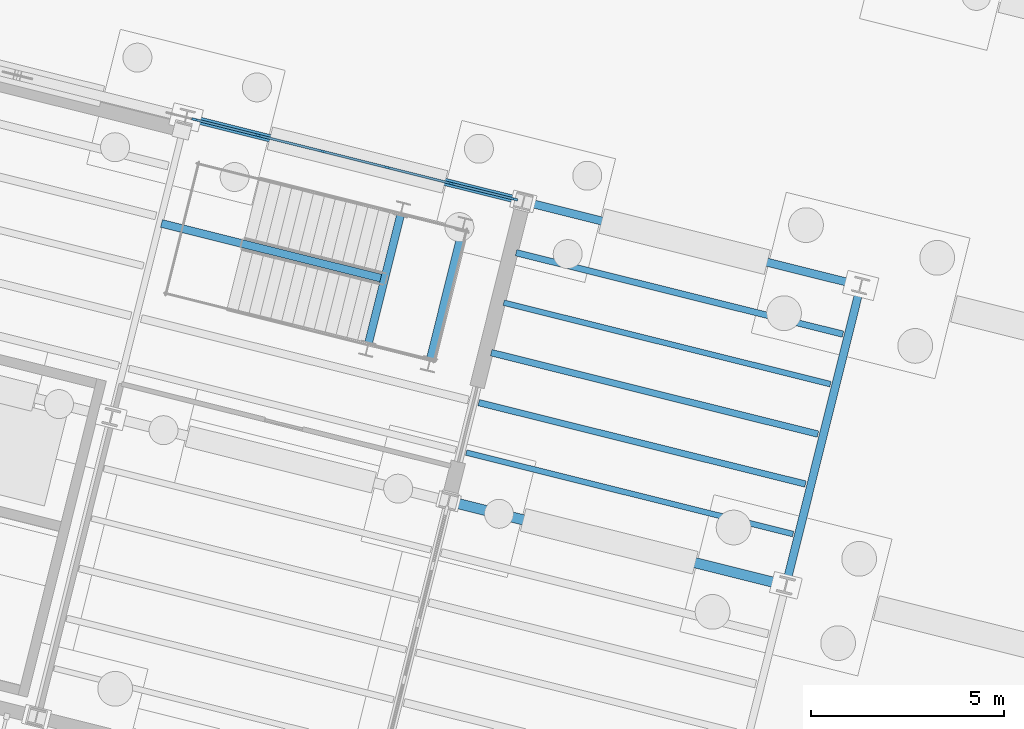
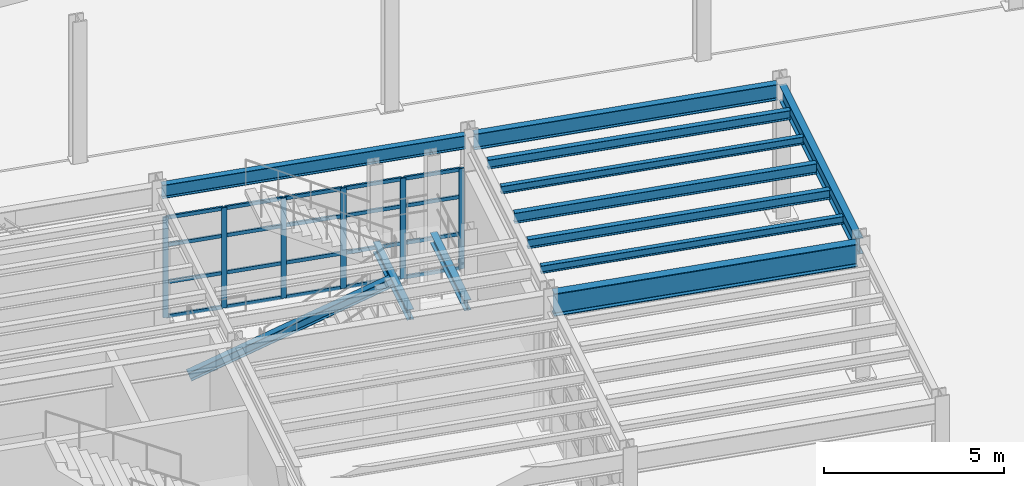
# One storey, part 41 of 108: 27 members, 11 beams, 1 element without a shape of its own.
"""IFC4 building model written with IfcOpenShell, lengths in metres."""

from ifc_helpers import new_model, si_unit, direction, frame, origin, origin_2d, place, context, subcontext, project, spatial, rectangle, i_section, extrude, material, layer, layer_set, material_profile, profile_set, type_object, element, aggregate, save


model = new_model("IFC4")

# Units and contexts
model_context = context("Model", 3, precision=1e-05, world=origin(), true_north=direction((0.0, 1.0)))
body_context = subcontext(model_context, "Body", "Model", "MODEL_VIEW")
ifc_project = project(units=[si_unit("LENGTHUNIT", "METRE"), si_unit("AREAUNIT", "SQUARE_METRE"), si_unit("VOLUMEUNIT", "CUBIC_METRE"), si_unit("PLANEANGLEUNIT", "RADIAN"), si_unit("MASSUNIT", "GRAM", prefix="KILO")], contexts=[model_context])

# Site, building, storey
site_placement = place(None, origin())
site = spatial("IfcSite", under=ifc_project, at=site_placement, CompositionType="ELEMENT")
building_placement = place(site_placement, origin())
building = spatial("IfcBuilding", under=site, at=building_placement, Name="Vireo Bluff Cable Station", CompositionType="ELEMENT")
storey_placement = place(building_placement, origin())
storey = spatial("IfcBuildingStorey", under=building, at=storey_placement, Name="L00", CompositionType="ELEMENT", Elevation=0.0)

# Beams
ifc_material_1 = material(Name="Steel ASTM A992 Gr. 50", Category="steel")
ifc_material_profile_1 = material_profile(ifc_material_1, i_section(OverallWidth=0.2041015625, OverallDepth=0.35009765625, WebThickness=0.008544921875, FlangeThickness=0.01513671875, FilletRadius=0.010009765625, at=origin_2d()), Name="W14X48")
ifc_profile_set_1 = profile_set([ifc_material_profile_1], Name="Steel ASTM A992 Gr. 50")
beam_type_1 = type_object("IfcBeamType", Name="BM-W14X48", PredefinedType="BEAM", material=ifc_profile_set_1)
for number, where, z_axis, x_axis, name in (
    (1, (71.326904296875, 45.49072265625, 2.02490234375), (0.24193442655, 0.970292601873, 0.0), (-0.970292601873, 0.24193442655, 0.0), "ST-10 L00 landing header beam N"),
    (2, (72.927734375, 45.091552734375, 2.02490234375), (0.24193442655, 0.970292601873, 0.0), (-0.970292601873, 0.24193442655, 0.0), "ST-10 L00 landing header beam F"),
):
    element("IfcBeam", number, at=place(storey_placement, frame(where, z_axis=z_axis, x_axis=x_axis)), inside=storey, type_object=beam_type_1, Name=name, PredefinedType="BEAM", context=body_context, shape_type="SweptSolid", body=[
        extrude(i_section(OverallWidth=0.2041015625, OverallDepth=0.35009765625, WebThickness=0.008544921875, FlangeThickness=0.01513671875, FilletRadius=0.010009765625, at=origin_2d()), origin(), (0.0, 0.0, 1.0), 3.440185546875),
    ])

# Curtain wall, members
ifc_material_2 = material(Name="Anodized Aluminium 6063-T6", Category="aluminium")
ifc_layer = layer(ifc_material_2, 0.179931640625, Name="Anodized Aluminium 6063-T6")
ifc_layer_set = layer_set([ifc_layer], Name="Anodized Aluminium 6063-T6")
curtain_wall_type = type_object("IfcCurtainWallType", Name="CW-UNIT-1650", PredefinedType="USERDEFINED", material=ifc_layer_set)
curtain_wall_placement = place(storey_placement, origin())
curtain_wall = element("IfcCurtainWall", 3, at=curtain_wall_placement, inside=storey, type_object=curtain_wall_type, Name="V1 L00 north curtain wall CW-002", ObjectType="UNITISED CURTAIN WALL", PredefinedType="USERDEFINED")
ifc_material_profile_2 = material_profile(ifc_material_2, rectangle(XDim=0.06005859375, YDim=0.159912109375, at=origin_2d()), Name="ALU-M-60X160")
ifc_profile_set_2 = profile_set([ifc_material_profile_2], Name="Anodized Aluminium 6063-T6")
member_type_1 = type_object("IfcMemberType", Name="CWM-03", PredefinedType="MULLION", material=ifc_profile_set_2)
member_1_placement = place(storey_placement, frame((66.8291015625, 51.291259765625, 0.0), z_axis=(0.0, 0.0, 1.0), x_axis=(0.241921813364, 0.97029574678, 0.0)))
member_1 = element("IfcMember", 4, at=member_1_placement, type_object=member_type_1, Name="CW-002 mullion 1", PredefinedType="MULLION", context=body_context, shape_type="SweptSolid", body=[
    extrude(rectangle(XDim=0.06005859375, YDim=0.159912109375, at=origin_2d()), origin(), (0.0, 0.0, 1.0), 3.39990234375),
])
member_2_placement = place(storey_placement, frame((68.4677734375, 50.882568359375, 0.0), z_axis=(0.0, 0.0, 1.0), x_axis=(0.241921813364, 0.97029574678, 0.0)))
member_2 = element("IfcMember", 5, at=member_2_placement, type_object=member_type_1, Name="CW-002 mullion 2", PredefinedType="MULLION", context=body_context, shape_type="SweptSolid", body=[
    extrude(rectangle(XDim=0.06005859375, YDim=0.159912109375, at=origin_2d()), origin(), (0.0, 0.0, 1.0), 3.39990234375),
])
member_3_placement = place(storey_placement, frame((70.1357421875, 50.466796875, 0.0), z_axis=(0.0, 0.0, 1.0), x_axis=(0.241921813364, 0.97029574678, 0.0)))
member_3 = element("IfcMember", 6, at=member_3_placement, type_object=member_type_1, Name="CW-002 mullion 3", PredefinedType="MULLION", context=body_context, shape_type="SweptSolid", body=[
    extrude(rectangle(XDim=0.06005859375, YDim=0.159912109375, at=origin_2d()), origin(), (0.0, 0.0, 1.0), 3.39990234375),
])
member_4_placement = place(storey_placement, frame((71.8037109375, 50.05078125, 0.0), z_axis=(0.0, 0.0, 1.0), x_axis=(0.241921813364, 0.97029574678, 0.0)))
member_4 = element("IfcMember", 7, at=member_4_placement, type_object=member_type_1, Name="CW-002 mullion 4", PredefinedType="MULLION", context=body_context, shape_type="SweptSolid", body=[
    extrude(rectangle(XDim=0.06005859375, YDim=0.159912109375, at=origin_2d()), origin(), (0.0, 0.0, 1.0), 3.39990234375),
])
member_5_placement = place(storey_placement, frame((73.4716796875, 49.635009765625, 0.0), z_axis=(0.0, 0.0, 1.0), x_axis=(0.241921813364, 0.97029574678, 0.0)))
member_5 = element("IfcMember", 8, at=member_5_placement, type_object=member_type_1, Name="CW-002 mullion 5", PredefinedType="MULLION", context=body_context, shape_type="SweptSolid", body=[
    extrude(rectangle(XDim=0.06005859375, YDim=0.159912109375, at=origin_2d()), origin(), (0.0, 0.0, 1.0), 3.39990234375),
])
member_6_placement = place(storey_placement, frame((75.110595703125, 49.226318359375, 0.0), z_axis=(0.0, 0.0, 1.0), x_axis=(0.241921813364, 0.97029574678, 0.0)))
member_6 = element("IfcMember", 9, at=member_6_placement, type_object=member_type_1, Name="CW-002 mullion 6", PredefinedType="MULLION", context=body_context, shape_type="SweptSolid", body=[
    extrude(rectangle(XDim=0.06005859375, YDim=0.159912109375, at=origin_2d()), origin(), (0.0, 0.0, 1.0), 3.39990234375),
])
ifc_material_profile_3 = material_profile(ifc_material_2, rectangle(XDim=0.06005859375, YDim=0.1201171875, at=origin_2d()), Name="ALU-T-60X120")
ifc_profile_set_3 = profile_set([ifc_material_profile_3], Name="Anodized Aluminium 6063-T6")
member_type_2 = type_object("IfcMemberType", Name="CWT-03", PredefinedType="USERDEFINED", material=ifc_profile_set_3)
member_7_placement = place(storey_placement, frame((66.858154296875, 51.283935546875, 0.030029296875), z_axis=(0.970300985328, -0.241900801718, 0.0), x_axis=(0.241900801718, 0.970300985328, 0.0)))
member_7 = element("IfcMember", 10, at=member_7_placement, type_object=member_type_2, Name="CW-002 transom 1.1", ObjectType="TRANSOM", PredefinedType="USERDEFINED", context=body_context, shape_type="SweptSolid", body=[
    extrude(rectangle(XDim=0.06005859375, YDim=0.1201171875, at=origin_2d()), origin(), (0.0, 0.0, 1.0), 1.62890625),
])
member_8_placement = place(storey_placement, frame((66.858154296875, 51.283935546875, 1.18994140625), z_axis=(0.970300985328, -0.241900801718, 0.0), x_axis=(0.241900801718, 0.970300985328, 0.0)))
member_8 = element("IfcMember", 11, at=member_8_placement, type_object=member_type_2, Name="CW-002 transom 1.2", ObjectType="TRANSOM", PredefinedType="USERDEFINED", context=body_context, shape_type="SweptSolid", body=[
    extrude(rectangle(XDim=0.06005859375, YDim=0.1201171875, at=origin_2d()), origin(), (0.0, 0.0, 1.0), 1.62890625),
])
member_9_placement = place(storey_placement, frame((66.858154296875, 51.283935546875, 2.447998046875), z_axis=(0.970300985328, -0.241900801718, 0.0), x_axis=(0.241900801718, 0.970300985328, 0.0)))
member_9 = element("IfcMember", 12, at=member_9_placement, type_object=member_type_2, Name="CW-002 transom 1.3", ObjectType="TRANSOM", PredefinedType="USERDEFINED", context=body_context, shape_type="SweptSolid", body=[
    extrude(rectangle(XDim=0.06005859375, YDim=0.1201171875, at=origin_2d()), origin(), (0.0, 0.0, 1.0), 1.62890625),
])
member_10_placement = place(storey_placement, frame((66.858154296875, 51.283935546875, 3.3701171875), z_axis=(0.970300985328, -0.241900801718, 0.0), x_axis=(0.241900801718, 0.970300985328, 0.0)))
member_10 = element("IfcMember", 13, at=member_10_placement, type_object=member_type_2, Name="CW-002 transom 1.4", ObjectType="TRANSOM", PredefinedType="USERDEFINED", context=body_context, shape_type="SweptSolid", body=[
    extrude(rectangle(XDim=0.06005859375, YDim=0.1201171875, at=origin_2d()), origin(), (0.0, 0.0, 1.0), 1.62890625),
])
member_11_placement = place(storey_placement, frame((68.496826171875, 50.875244140625, 0.030029296875), z_axis=(0.970298104406, -0.241912357241, 0.0), x_axis=(0.241912357241, 0.970298104406, 0.0)))
member_11 = element("IfcMember", 14, at=member_11_placement, type_object=member_type_2, Name="CW-002 transom 2.1", ObjectType="TRANSOM", PredefinedType="USERDEFINED", context=body_context, shape_type="SweptSolid", body=[
    extrude(rectangle(XDim=0.06005859375, YDim=0.1201171875, at=origin_2d()), origin(), (0.0, 0.0, 1.0), 1.6591796875),
])
member_12_placement = place(storey_placement, frame((68.496826171875, 50.875244140625, 1.18994140625), z_axis=(0.970298104406, -0.241912357241, 0.0), x_axis=(0.241912357241, 0.970298104406, 0.0)))
member_12 = element("IfcMember", 15, at=member_12_placement, type_object=member_type_2, Name="CW-002 transom 2.2", ObjectType="TRANSOM", PredefinedType="USERDEFINED", context=body_context, shape_type="SweptSolid", body=[
    extrude(rectangle(XDim=0.06005859375, YDim=0.1201171875, at=origin_2d()), origin(), (0.0, 0.0, 1.0), 1.6591796875),
])
member_13_placement = place(storey_placement, frame((68.496826171875, 50.875244140625, 2.447998046875), z_axis=(0.970298104406, -0.241912357241, 0.0), x_axis=(0.241912357241, 0.970298104406, 0.0)))
member_13 = element("IfcMember", 16, at=member_13_placement, type_object=member_type_2, Name="CW-002 transom 2.3", ObjectType="TRANSOM", PredefinedType="USERDEFINED", context=body_context, shape_type="SweptSolid", body=[
    extrude(rectangle(XDim=0.06005859375, YDim=0.1201171875, at=origin_2d()), origin(), (0.0, 0.0, 1.0), 1.6591796875),
])
member_14_placement = place(storey_placement, frame((68.496826171875, 50.875244140625, 3.3701171875), z_axis=(0.970298104406, -0.241912357241, 0.0), x_axis=(0.241912357241, 0.970298104406, 0.0)))
member_14 = element("IfcMember", 17, at=member_14_placement, type_object=member_type_2, Name="CW-002 transom 2.4", ObjectType="TRANSOM", PredefinedType="USERDEFINED", context=body_context, shape_type="SweptSolid", body=[
    extrude(rectangle(XDim=0.06005859375, YDim=0.1201171875, at=origin_2d()), origin(), (0.0, 0.0, 1.0), 1.6591796875),
])
member_15_placement = place(storey_placement, frame((70.164794921875, 50.45947265625, 0.030029296875), z_axis=(0.970298104406, -0.241912357241, 0.0), x_axis=(0.241912357241, 0.970298104406, 0.0)))
member_15 = element("IfcMember", 18, at=member_15_placement, type_object=member_type_2, Name="CW-002 transom 3.1", ObjectType="TRANSOM", PredefinedType="USERDEFINED", context=body_context, shape_type="SweptSolid", body=[
    extrude(rectangle(XDim=0.06005859375, YDim=0.1201171875, at=origin_2d()), origin(), (0.0, 0.0, 1.0), 1.6591796875),
])
member_16_placement = place(storey_placement, frame((70.164794921875, 50.45947265625, 1.18994140625), z_axis=(0.970298104406, -0.241912357241, 0.0), x_axis=(0.241912357241, 0.970298104406, 0.0)))
member_16 = element("IfcMember", 19, at=member_16_placement, type_object=member_type_2, Name="CW-002 transom 3.2", ObjectType="TRANSOM", PredefinedType="USERDEFINED", context=body_context, shape_type="SweptSolid", body=[
    extrude(rectangle(XDim=0.06005859375, YDim=0.1201171875, at=origin_2d()), origin(), (0.0, 0.0, 1.0), 1.6591796875),
])
member_17_placement = place(storey_placement, frame((70.164794921875, 50.45947265625, 2.447998046875), z_axis=(0.970298104406, -0.241912357241, 0.0), x_axis=(0.241912357241, 0.970298104406, 0.0)))
member_17 = element("IfcMember", 20, at=member_17_placement, type_object=member_type_2, Name="CW-002 transom 3.3", ObjectType="TRANSOM", PredefinedType="USERDEFINED", context=body_context, shape_type="SweptSolid", body=[
    extrude(rectangle(XDim=0.06005859375, YDim=0.1201171875, at=origin_2d()), origin(), (0.0, 0.0, 1.0), 1.6591796875),
])
member_18_placement = place(storey_placement, frame((70.164794921875, 50.45947265625, 3.3701171875), z_axis=(0.970298104406, -0.241912357241, 0.0), x_axis=(0.241912357241, 0.970298104406, 0.0)))
member_18 = element("IfcMember", 21, at=member_18_placement, type_object=member_type_2, Name="CW-002 transom 3.4", ObjectType="TRANSOM", PredefinedType="USERDEFINED", context=body_context, shape_type="SweptSolid", body=[
    extrude(rectangle(XDim=0.06005859375, YDim=0.1201171875, at=origin_2d()), origin(), (0.0, 0.0, 1.0), 1.6591796875),
])
member_19_placement = place(storey_placement, frame((71.832763671875, 50.043701171875, 0.030029296875), z_axis=(0.970298104406, -0.241912357241, 0.0), x_axis=(0.241912357241, 0.970298104406, 0.0)))
member_19 = element("IfcMember", 22, at=member_19_placement, type_object=member_type_2, Name="CW-002 transom 4.1", ObjectType="TRANSOM", PredefinedType="USERDEFINED", context=body_context, shape_type="SweptSolid", body=[
    extrude(rectangle(XDim=0.06005859375, YDim=0.1201171875, at=origin_2d()), origin(), (0.0, 0.0, 1.0), 1.6591796875),
])
member_20_placement = place(storey_placement, frame((71.832763671875, 50.043701171875, 1.18994140625), z_axis=(0.970298104406, -0.241912357241, 0.0), x_axis=(0.241912357241, 0.970298104406, 0.0)))
member_20 = element("IfcMember", 23, at=member_20_placement, type_object=member_type_2, Name="CW-002 transom 4.2", ObjectType="TRANSOM", PredefinedType="USERDEFINED", context=body_context, shape_type="SweptSolid", body=[
    extrude(rectangle(XDim=0.06005859375, YDim=0.1201171875, at=origin_2d()), origin(), (0.0, 0.0, 1.0), 1.6591796875),
])
member_21_placement = place(storey_placement, frame((71.832763671875, 50.043701171875, 2.447998046875), z_axis=(0.970298104406, -0.241912357241, 0.0), x_axis=(0.241912357241, 0.970298104406, 0.0)))
member_21 = element("IfcMember", 24, at=member_21_placement, type_object=member_type_2, Name="CW-002 transom 4.3", ObjectType="TRANSOM", PredefinedType="USERDEFINED", context=body_context, shape_type="SweptSolid", body=[
    extrude(rectangle(XDim=0.06005859375, YDim=0.1201171875, at=origin_2d()), origin(), (0.0, 0.0, 1.0), 1.6591796875),
])
member_22_placement = place(storey_placement, frame((71.832763671875, 50.043701171875, 3.3701171875), z_axis=(0.970298104406, -0.241912357241, 0.0), x_axis=(0.241912357241, 0.970298104406, 0.0)))
member_22 = element("IfcMember", 25, at=member_22_placement, type_object=member_type_2, Name="CW-002 transom 4.4", ObjectType="TRANSOM", PredefinedType="USERDEFINED", context=body_context, shape_type="SweptSolid", body=[
    extrude(rectangle(XDim=0.06005859375, YDim=0.1201171875, at=origin_2d()), origin(), (0.0, 0.0, 1.0), 1.6591796875),
])
member_23_placement = place(storey_placement, frame((73.500732421875, 49.627685546875, 0.030029296875), z_axis=(0.970300985328, -0.241900801718, 0.0), x_axis=(0.241900801718, 0.970300985328, 0.0)))
member_23 = element("IfcMember", 26, at=member_23_placement, type_object=member_type_2, Name="CW-002 transom 5.1", ObjectType="TRANSOM", PredefinedType="USERDEFINED", context=body_context, shape_type="SweptSolid", body=[
    extrude(rectangle(XDim=0.06005859375, YDim=0.1201171875, at=origin_2d()), origin(), (0.0, 0.0, 1.0), 1.62890625),
])
member_24_placement = place(storey_placement, frame((73.500732421875, 49.627685546875, 1.18994140625), z_axis=(0.970300985328, -0.241900801718, 0.0), x_axis=(0.241900801718, 0.970300985328, 0.0)))
member_24 = element("IfcMember", 27, at=member_24_placement, type_object=member_type_2, Name="CW-002 transom 5.2", ObjectType="TRANSOM", PredefinedType="USERDEFINED", context=body_context, shape_type="SweptSolid", body=[
    extrude(rectangle(XDim=0.06005859375, YDim=0.1201171875, at=origin_2d()), origin(), (0.0, 0.0, 1.0), 1.62890625),
])
member_25_placement = place(storey_placement, frame((73.500732421875, 49.627685546875, 2.447998046875), z_axis=(0.970300985328, -0.241900801718, 0.0), x_axis=(0.241900801718, 0.970300985328, 0.0)))
member_25 = element("IfcMember", 28, at=member_25_placement, type_object=member_type_2, Name="CW-002 transom 5.3", ObjectType="TRANSOM", PredefinedType="USERDEFINED", context=body_context, shape_type="SweptSolid", body=[
    extrude(rectangle(XDim=0.06005859375, YDim=0.1201171875, at=origin_2d()), origin(), (0.0, 0.0, 1.0), 1.62890625),
])
member_26_placement = place(storey_placement, frame((73.500732421875, 49.627685546875, 3.3701171875), z_axis=(0.970300985328, -0.241900801718, 0.0), x_axis=(0.241900801718, 0.970300985328, 0.0)))
member_26 = element("IfcMember", 29, at=member_26_placement, type_object=member_type_2, Name="CW-002 transom 5.4", ObjectType="TRANSOM", PredefinedType="USERDEFINED", context=body_context, shape_type="SweptSolid", body=[
    extrude(rectangle(XDim=0.06005859375, YDim=0.1201171875, at=origin_2d()), origin(), (0.0, 0.0, 1.0), 1.62890625),
])
aggregate(curtain_wall, [member_1, member_2, member_3, member_4, member_5, member_6, member_7, member_8, member_9, member_10, member_11, member_12, member_13, member_14, member_15, member_16, member_17, member_18, member_19, member_20, member_21, member_22, member_23, member_24, member_25, member_26])

# Beams
ifc_material_profile_4 = material_profile(ifc_material_1, i_section(OverallWidth=0.26708984375, OverallDepth=0.77001953125, WebThickness=0.015625, FlangeThickness=0.025390625, FilletRadius=0.01611328125, at=origin_2d()), Name="W30X132")
ifc_profile_set_4 = profile_set([ifc_material_profile_4], Name="Steel ASTM A992 Gr. 50")
beam_type_2 = type_object("IfcBeamType", Name="GIR-W30X132", PredefinedType="USERDEFINED", material=ifc_profile_set_4)
beam_1_placement = place(storey_placement, frame((73.51708984375, 41.378662109375, 4.155029296875), z_axis=(0.970298044881, -0.241912595995, 0.0), x_axis=(0.241912595995, 0.970298044881, 0.0)))
element("IfcBeam", 30, at=beam_1_placement, inside=storey, type_object=beam_type_2, Name="V1 L00 girder 6", ObjectType="GIRDER", PredefinedType="USERDEFINED", context=body_context, shape_type="SweptSolid", body=[
    extrude(i_section(OverallWidth=0.26708984375, OverallDepth=0.77001953125, WebThickness=0.015625, FlangeThickness=0.025390625, FilletRadius=0.01611328125, at=origin_2d()), origin(), (0.0, 0.0, 1.0), 8.760009765625),
])
ifc_material_profile_5 = material_profile(ifc_material_1, i_section(OverallWidth=0.14599609375, OverallDepth=0.259033203125, WebThickness=0.006103515625, FlangeThickness=0.009033203125, FilletRadius=0.009033203125, at=origin_2d()), Name="W10X22")
ifc_profile_set_5 = profile_set([ifc_material_profile_5], Name="Steel ASTM A992 Gr. 50")
beam_type_3 = type_object("IfcBeamType", Name="JST-W10X22", PredefinedType="JOIST", material=ifc_profile_set_5)
for number, where, z_axis, x_axis, name in (
    (31, (73.859130859375, 42.667724609375, 4.410400390625), (0.970293828661, -0.24192950639, 0.0), (0.24192950639, 0.970293828661, 0.0), "V1 L00 composite joist 35"),
    (32, (74.826904296875, 46.548828125, 4.410400390625), (0.970293828661, -0.24192950639, 0.0), (0.24192950639, 0.970293828661, 0.0), "V1 L00 composite joist 38"),
):
    element("IfcBeam", number, at=place(storey_placement, frame(where, z_axis=z_axis, x_axis=x_axis)), inside=storey, type_object=beam_type_3, Name=name, PredefinedType="JOIST", context=body_context, shape_type="SweptSolid", body=[
        extrude(i_section(OverallWidth=0.14599609375, OverallDepth=0.259033203125, WebThickness=0.006103515625, FlangeThickness=0.009033203125, FilletRadius=0.009033203125, at=origin_2d()), origin(), (0.0, 0.0, 1.0), 8.719970703125),
    ])
ifc_material_profile_6 = material_profile(ifc_material_1, i_section(OverallWidth=0.1650390625, OverallDepth=0.31005859375, WebThickness=0.005859375, FlangeThickness=0.009765625, FilletRadius=0.010009765625, at=origin_2d()), Name="W12X26")
ifc_profile_set_6 = profile_set([ifc_material_profile_6], Name="Steel ASTM A992 Gr. 50")
beam_type_4 = type_object("IfcBeamType", Name="JST-W12X26", PredefinedType="JOIST", material=ifc_profile_set_6)
for number, where, z_axis, x_axis, name in (
    (33, (74.181640625, 43.96142578125, 4.385009765625), (0.970293828661, -0.24192950639, 0.0), (0.24192950639, 0.970293828661, 0.0), "V1 L00 composite joist 36"),
    (34, (75.1494140625, 47.842529296875, 4.385009765625), (0.970293828661, -0.24192950639, 0.0), (0.24192950639, 0.970293828661, 0.0), "V1 L00 composite joist 39"),
):
    element("IfcBeam", number, at=place(storey_placement, frame(where, z_axis=z_axis, x_axis=x_axis)), inside=storey, type_object=beam_type_4, Name=name, PredefinedType="JOIST", context=body_context, shape_type="SweptSolid", body=[
        extrude(i_section(OverallWidth=0.1650390625, OverallDepth=0.31005859375, WebThickness=0.005859375, FlangeThickness=0.009765625, FilletRadius=0.010009765625, at=origin_2d()), origin(), (0.0, 0.0, 1.0), 8.719970703125),
    ])
ifc_material_profile_7 = material_profile(ifc_material_1, i_section(OverallWidth=0.1708984375, OverallDepth=0.35107421875, WebThickness=0.0068359375, FlangeThickness=0.009765625, FilletRadius=0.010009765625, at=origin_2d()), Name="W14X30")
ifc_profile_set_7 = profile_set([ifc_material_profile_7], Name="Steel ASTM A992 Gr. 50")
beam_type_5 = type_object("IfcBeamType", Name="JST-W14X30", PredefinedType="JOIST", material=ifc_profile_set_7)
beam_2_placement = place(storey_placement, frame((74.504150390625, 45.255126953125, 4.364501953125), z_axis=(0.970293828661, -0.24192950639, 0.0), x_axis=(0.24192950639, 0.970293828661, 0.0)))
element("IfcBeam", 35, at=beam_2_placement, inside=storey, type_object=beam_type_5, Name="V1 L00 composite joist 37", PredefinedType="JOIST", context=body_context, shape_type="SweptSolid", body=[
    extrude(i_section(OverallWidth=0.1708984375, OverallDepth=0.35107421875, WebThickness=0.0068359375, FlangeThickness=0.009765625, FilletRadius=0.010009765625, at=origin_2d()), origin(), (0.0, 0.0, 1.0), 8.719970703125),
])
ifc_material_profile_8 = material_profile(ifc_material_1, i_section(OverallWidth=0.19091796875, OverallDepth=0.45703125, WebThickness=0.009033203125, FlangeThickness=0.014404296875, FilletRadius=0.011962890625, at=origin_2d()), Name="W18X50")
ifc_profile_set_8 = profile_set([ifc_material_profile_8], Name="Steel ASTM A992 Gr. 50")
beam_type_6 = type_object("IfcBeamType", Name="SPN-W18X50", PredefinedType="SPANDREL", material=ifc_profile_set_8)
beam_3_placement = place(storey_placement, frame((66.7197265625, 51.318359375, 4.3115234375), z_axis=(0.970299675821, -0.241906054289, 0.0), x_axis=(0.241906054289, 0.970299675821, 0.0)))
element("IfcBeam", 36, at=beam_3_placement, inside=storey, type_object=beam_type_6, Name="V1 L00 spandrel 8", PredefinedType="SPANDREL", context=body_context, shape_type="SweptSolid", body=[
    extrude(i_section(OverallWidth=0.19091796875, OverallDepth=0.45703125, WebThickness=0.009033203125, FlangeThickness=0.014404296875, FilletRadius=0.011962890625, at=origin_2d()), origin(), (0.0, 0.0, 1.0), 8.76025390625),
])
ifc_material_profile_9 = material_profile(ifc_material_1, i_section(OverallWidth=0.2099609375, OverallDepth=0.535888671875, WebThickness=0.010986328125, FlangeThickness=0.017333984375, FilletRadius=0.012939453125, at=origin_2d()), Name="W21X68")
ifc_profile_set_9 = profile_set([ifc_material_profile_9], Name="Steel ASTM A992 Gr. 50")
beam_type_7 = type_object("IfcBeamType", Name="SPN-W21X68", PredefinedType="SPANDREL", material=ifc_profile_set_9)
beam_4_placement = place(storey_placement, frame((75.452392578125, 49.14111328125, 4.27197265625), z_axis=(0.970299675821, -0.241906054289, 0.0), x_axis=(0.241906054289, 0.970299675821, 0.0)))
element("IfcBeam", 37, at=beam_4_placement, inside=storey, type_object=beam_type_7, Name="V1 L00 spandrel 9", PredefinedType="SPANDREL", context=body_context, shape_type="SweptSolid", body=[
    extrude(i_section(OverallWidth=0.2099609375, OverallDepth=0.535888671875, WebThickness=0.010986328125, FlangeThickness=0.017333984375, FilletRadius=0.012939453125, at=origin_2d()), origin(), (0.0, 0.0, 1.0), 8.76025390625),
])
beam_5_placement = place(storey_placement, frame((82.162353515625, 39.346923828125, 4.27197265625), z_axis=(0.241935966891, 0.970292217801, 0.0), x_axis=(-0.970292217801, 0.241935966891, 0.0)))
element("IfcBeam", 38, at=beam_5_placement, inside=storey, type_object=beam_type_7, Name="V1 L00 spandrel 17", PredefinedType="SPANDREL", context=body_context, shape_type="SweptSolid", body=[
    extrude(i_section(OverallWidth=0.2099609375, OverallDepth=0.535888671875, WebThickness=0.010986328125, FlangeThickness=0.017333984375, FilletRadius=0.012939453125, at=origin_2d()), origin(), (0.0, 0.0, 1.0), 7.760009765625),
])

# Member
ifc_material_profile_10 = material_profile(ifc_material_1, i_section(OverallWidth=0.202880859375, OverallDepth=0.302978515625, WebThickness=0.007568359375, FlangeThickness=0.01318359375, FilletRadius=0.010009765625, at=origin_2d()), Name="W12X40")
ifc_profile_set_10 = profile_set([ifc_material_profile_10], Name="Steel ASTM A992 Gr. 50")
member_type_3 = type_object("IfcMemberType", Name="STRINGER-02", PredefinedType="STRINGER", material=ifc_profile_set_10)
member_27_placement = place(storey_placement, frame((66.018310546875, 48.5869140625, -0.050048828125), z_axis=(0.91447719787, -0.227980121246, 0.334300043214), x_axis=(0.241897269349, 0.970301865958, 0.0)))
element("IfcMember", 39, at=member_27_placement, inside=storey, type_object=member_type_3, Name="ST-10 L00 steel stair stringer", PredefinedType="STRINGER", context=body_context, shape_type="SweptSolid", body=[
    extrude(i_section(OverallWidth=0.202880859375, OverallDepth=0.302978515625, WebThickness=0.007568359375, FlangeThickness=0.01318359375, FilletRadius=0.010009765625, at=origin_2d()), origin(), (0.0, 0.0, 1.0), 6.206787109375),
])

save(model, "model.ifc")
